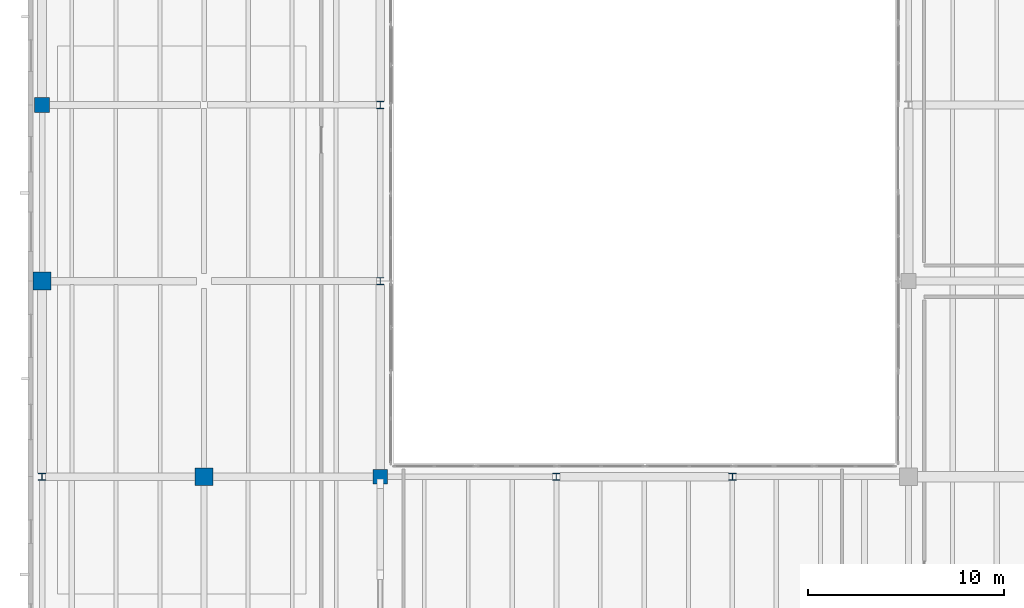
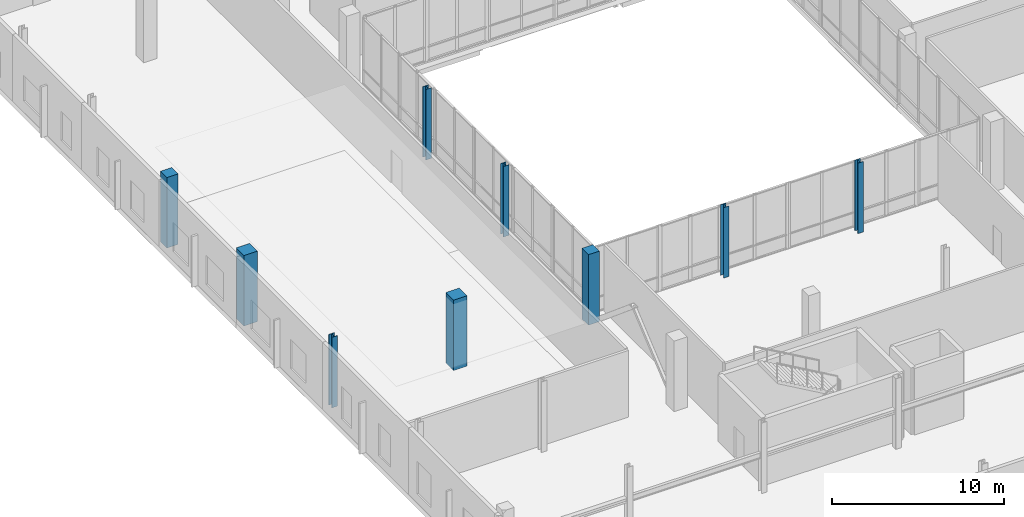
# One storey, part 7 of 88: 9 columns.
"""IFC4 building model written with IfcOpenShell, lengths in metres."""

from ifc_helpers import new_model, si_unit, direction, frame, origin, origin_2d, place, context, subcontext, project, spatial, rectangle, i_section, extrude, material, material_profile, profile_set, type_object, element, save


model = new_model("IFC4")

# Units and contexts
model_context = context("Model", 3, precision=1e-05, world=origin(), true_north=direction((0.0, 1.0)))
body_context = subcontext(model_context, "Body", "Model", "MODEL_VIEW")
ifc_project = project(units=[si_unit("LENGTHUNIT", "METRE"), si_unit("AREAUNIT", "SQUARE_METRE"), si_unit("VOLUMEUNIT", "CUBIC_METRE"), si_unit("PLANEANGLEUNIT", "RADIAN"), si_unit("MASSUNIT", "GRAM", prefix="KILO")], contexts=[model_context])

# Site, building, storey
site_placement = place(None, origin())
site = spatial("IfcSite", under=ifc_project, at=site_placement, CompositionType="ELEMENT")
building_placement = place(site_placement, origin())
building = spatial("IfcBuilding", under=site, at=building_placement, Name="Trimount Lyric Opera House", CompositionType="ELEMENT")
storey_placement = place(building_placement, origin())
storey = spatial("IfcBuildingStorey", under=building, at=storey_placement, Name="L00", CompositionType="ELEMENT", Elevation=0.0)

# Columns
ifc_material_1 = material(Name="Steel ASTM A992 Grade 50", Category="steel")
ifc_material_profile_1 = material_profile(ifc_material_1, i_section(OverallWidth=0.373046875, OverallDepth=0.367919921875, WebThickness=0.014892578125, FlangeThickness=0.02392578125, FilletRadius=0.014892578125, at=origin_2d()), Name="W14X120")
ifc_profile_set_1 = profile_set([ifc_material_profile_1], Name="Steel ASTM A992 Grade 50")
column_type_1 = type_object("IfcColumnType", Name="C-04", PredefinedType="COLUMN", material=ifc_profile_set_1)
for number, where, z_axis, x_axis, name in (
    (1, (0.719970703125, 74.0, 0.0), (0.0, 0.0, 1.0), (1.0, 0.0, 0.0), "L00 column 1/J"),
    (2, (18.0, 93.0, 0.0), (0.0, 0.0, 1.0), (1.0, 0.0, 0.0), "L00 column 3/L"),
    (3, (36.0, 74.0, 0.0), (0.0, 0.0, 1.0), (1.0, 0.0, 0.0), "L00 column 5/J"),
):
    element("IfcColumn", number, at=place(storey_placement, frame(where, z_axis=z_axis, x_axis=x_axis)), inside=storey, type_object=column_type_1, Name=name, PredefinedType="COLUMN", context=body_context, shape_type="SweptSolid", body=[
        extrude(i_section(OverallWidth=0.373046875, OverallDepth=0.367919921875, WebThickness=0.014892578125, FlangeThickness=0.02392578125, FilletRadius=0.014892578125, at=origin_2d()), origin(), (0.0, 0.0, 1.0), 5.0),
    ])
ifc_material_2 = material(Name="Steel ASTM A992 Grade 50", Category="steel")
ifc_material_profile_2 = material_profile(ifc_material_2, i_section(OverallWidth=0.367919921875, OverallDepth=0.35595703125, WebThickness=0.01123046875, FlangeThickness=0.01806640625, FilletRadius=0.014892578125, at=origin_2d()), Name="W14X90")
ifc_profile_set_2 = profile_set([ifc_material_profile_2], Name="Steel ASTM A992 Grade 50")
column_type_2 = type_object("IfcColumnType", Name="C-09", PredefinedType="COLUMN", material=ifc_profile_set_2)
for number, where, z_axis, x_axis, name in (
    (4, (18.0, 84.0, 0.0), (0.0, 0.0, 1.0), (1.0, 0.0, 0.0), "L00 column 3/K"),
    (5, (27.0, 74.0, 0.0), (0.0, 0.0, 1.0), (1.0, 0.0, 0.0), "L00 column 4/J"),
):
    element("IfcColumn", number, at=place(storey_placement, frame(where, z_axis=z_axis, x_axis=x_axis)), inside=storey, type_object=column_type_2, Name=name, PredefinedType="COLUMN", context=body_context, shape_type="SweptSolid", body=[
        extrude(i_section(OverallWidth=0.367919921875, OverallDepth=0.35595703125, WebThickness=0.01123046875, FlangeThickness=0.01806640625, FilletRadius=0.014892578125, at=origin_2d()), origin(), (0.0, 0.0, 1.0), 5.0),
    ])
ifc_material_3 = material(Name="Concrete C50/60", Category="concrete")
ifc_material_profile_3 = material_profile(ifc_material_3, rectangle(XDim=0.89990234375, YDim=0.89990234375, at=origin_2d()), Name="RC900X900")
ifc_profile_set_3 = profile_set([ifc_material_profile_3], Name="Concrete C50/60")
column_type_3 = type_object("IfcColumnType", Name="C-13", PredefinedType="COLUMN", material=ifc_profile_set_3)
for number, where, z_axis, x_axis, name in (
    (6, (0.719970703125, 84.0, 0.0), (0.0, 0.0, 1.0), (1.0, 0.0, 0.0), "L00 column 1/K"),
    (7, (9.0, 74.0, 0.0), (0.0, 0.0, 1.0), (1.0, 0.0, 0.0), "L00 column 2/J"),
):
    element("IfcColumn", number, at=place(storey_placement, frame(where, z_axis=z_axis, x_axis=x_axis)), inside=storey, type_object=column_type_3, Name=name, PredefinedType="COLUMN", context=body_context, shape_type="SweptSolid", body=[
        extrude(rectangle(XDim=0.89990234375, YDim=0.89990234375, at=origin_2d()), origin(), (0.0, 0.0, 1.0), 5.0),
    ])
ifc_material_4 = material(Name="Concrete C40/50", Category="concrete")
ifc_material_profile_4 = material_profile(ifc_material_4, rectangle(XDim=0.75, YDim=0.75, at=origin_2d()), Name="RC750X750")
ifc_profile_set_4 = profile_set([ifc_material_profile_4], Name="Concrete C40/50")
column_type_4 = type_object("IfcColumnType", Name="C-15", PredefinedType="COLUMN", material=ifc_profile_set_4)
for number, where, z_axis, x_axis, name in (
    (8, (0.719970703125, 93.0, 0.0), (0.0, 0.0, 1.0), (1.0, 0.0, 0.0), "L00 column 1/L"),
    (9, (18.0, 74.0, 0.0), (0.0, 0.0, 1.0), (1.0, 0.0, 0.0), "L00 column 3/J"),
):
    element("IfcColumn", number, at=place(storey_placement, frame(where, z_axis=z_axis, x_axis=x_axis)), inside=storey, type_object=column_type_4, Name=name, PredefinedType="COLUMN", context=body_context, shape_type="SweptSolid", body=[
        extrude(rectangle(XDim=0.75, YDim=0.75, at=origin_2d()), origin(), (0.0, 0.0, 1.0), 5.0),
    ])

save(model, "model.ifc")
